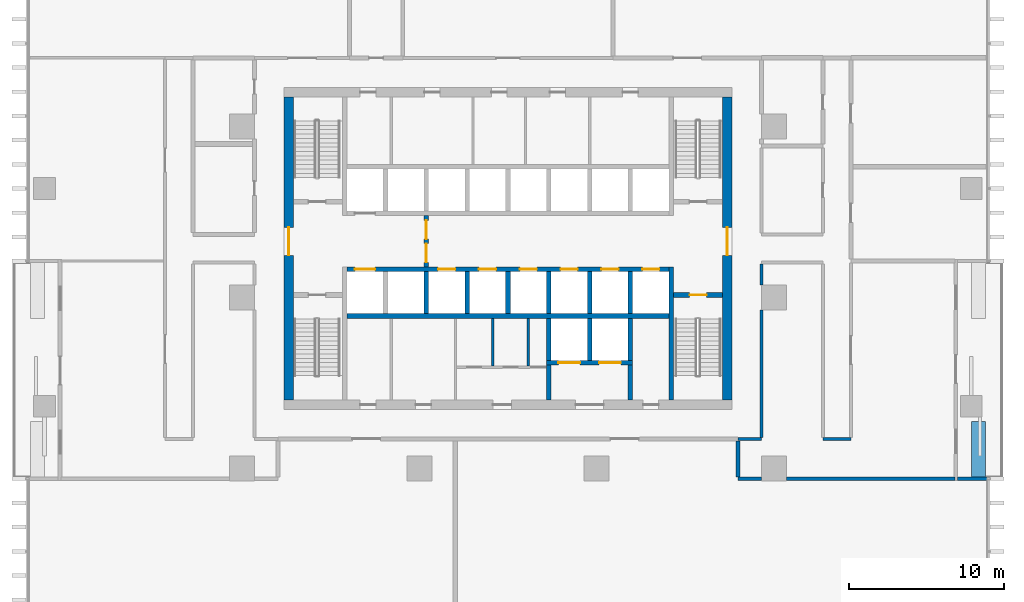
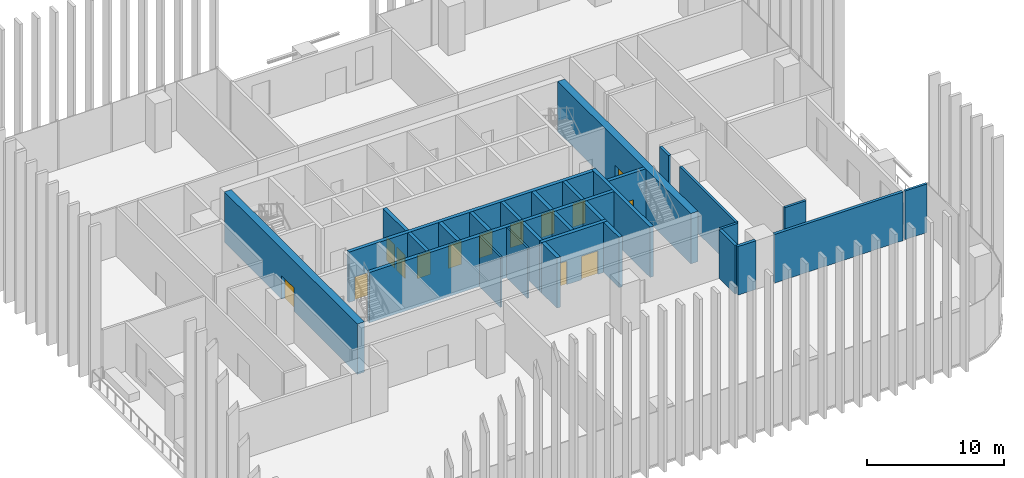
# One storey, part 8 of 17: 30 walls, 14 doors, 14 openings.
"""IFC4 building model written with IfcOpenShell, lengths in metres."""

from ifc_helpers import new_model, si_unit, direction, frame, frame_2d, origin, place, context, subcontext, project, spatial, rectangle, extrude, material, layer, layer_set, type_object, element, fill, save


model = new_model("IFC4")

# Units and contexts
model_context = context("Model", 3, precision=1e-05, world=origin(), true_north=direction((0.0, 1.0)))
body_context = subcontext(model_context, "Body", "Model", "MODEL_VIEW")
ifc_project = project(units=[si_unit("LENGTHUNIT", "METRE"), si_unit("AREAUNIT", "SQUARE_METRE"), si_unit("VOLUMEUNIT", "CUBIC_METRE"), si_unit("PLANEANGLEUNIT", "RADIAN"), si_unit("MASSUNIT", "GRAM", prefix="KILO")], contexts=[model_context])

# Site, building, storey
site_placement = place(None, origin())
site = spatial("IfcSite", under=ifc_project, at=site_placement, CompositionType="ELEMENT")
building_placement = place(site_placement, origin())
building = spatial("IfcBuilding", under=site, at=building_placement, Name="Mopane Tessera Tower", CompositionType="ELEMENT")
storey_placement = place(building_placement, frame((0.0, 0.0, 45.39990234375)))
storey = spatial("IfcBuildingStorey", under=building, at=storey_placement, Name="L08", CompositionType="ELEMENT", Elevation=45.39990234375)

# Walls
ifc_material_1 = material(Name="Fire-rated gypsum board partition")
ifc_layer_1 = layer(ifc_material_1, 0.14990234375)
ifc_layer_set_1 = layer_set([ifc_layer_1], Name="Fire-rated gypsum board partition")
wall_type_1 = type_object("IfcWallType", Name="Core room partition 150 mm", PredefinedType="PARTITIONING", material=ifc_layer_set_1)
for number, where, z_axis, x_axis, name in (
    (1, (-0.97509765625, -4.425048828125, 0.0), (0.0, 0.0, 1.0), (0.0, 1.0, 0.0), "L08 WC partition"),
    (2, (1.304931640625, -4.425048828125, 0.0), (0.0, 0.0, 1.0), (0.0, 1.0, 0.0), "L08 WC partition"),
):
    element("IfcWall", number, at=place(storey_placement, frame(where, z_axis=z_axis, x_axis=x_axis)), inside=storey, type_object=wall_type_1, Name=name, PredefinedType="PARTITIONING", context=body_context, shape_type="SweptSolid", body=[
        extrude(rectangle(XDim=3.074951171875, YDim=0.14990234375, at=frame_2d((1.53759765625, 0.0))), origin(), (0.0, 0.0, 1.0), 4.5),
    ])

# Wall, opening, door
ifc_material_2 = material(Name="Concrete C70/85", Category="concrete")
ifc_layer_2 = layer(ifc_material_2, 0.60009765625)
ifc_layer_set_2 = layer_set([ifc_layer_2], Name="Concrete C70/85")
wall_type_2 = type_object("IfcWallType", Name="Core shear wall 600 mm", PredefinedType="SHEAR", material=ifc_layer_set_2)
wall_1_placement = place(storey_placement, frame((-14.10009765625, -6.60009765625, 0.0), z_axis=(0.0, 0.0, 1.0), x_axis=(0.0, 1.0, 0.0)))
wall_1 = element("IfcWall", 3, at=wall_1_placement, inside=storey, type_object=wall_type_2, Name="L08 Core wall west", PredefinedType="SHEAR", context=body_context, shape_type="SweptSolid", body=[
    extrude(rectangle(XDim=19.5, YDim=0.60009765625, at=frame_2d((9.75, 0.0))), origin(), (0.0, 0.0, 1.0), 4.5),
])
opening_1_placement = place(wall_1_placement, frame((9.300048828125, 0.0, 0.0)))
opening_1 = element("IfcOpeningElement", 4, at=opening_1_placement, cuts=wall_1, Name="Opening SD2", PredefinedType="OPENING", context=body_context, shape_type="SweptSolid", body=[
    extrude(rectangle(XDim=1.800048828125, YDim=2.10009765625, at=frame_2d((0.89990234375, 1.050048828125))), frame((0.0, 0.31201171875, 0.0), z_axis=(0.0, -1.0, 0.0), x_axis=(1.0, 0.0, 0.0)), (0.0, 0.0, 1.0), 0.6240234375),
])
ifc_material_3 = material(Name="Steel fire door", Category="steel")
door_type_1 = type_object("IfcDoorType", Name="Core entrance double door 1800 x 2100", OperationType="DOUBLE_DOOR_SINGLE_SWING", PredefinedType="DOOR", material=ifc_material_3)
door_1_placement = place(opening_1_placement, origin())
door_1 = element("IfcDoor", 5, at=door_1_placement, inside=storey, type_object=door_type_1, Name="L08 Core entrance door west", OperationType="DOUBLE_DOOR_SINGLE_SWING", OverallHeight=2.10009765625, OverallWidth=1.800048828125, PredefinedType="DOOR", context=body_context, shape_type="SweptSolid", body=[
    extrude(rectangle(XDim=1.800048828125, YDim=2.10009765625, at=frame_2d((0.89990234375, 1.050048828125))), frame((0.0, 0.02490234375, 0.0), z_axis=(0.0, -1.0, 0.0), x_axis=(1.0, 0.0, 0.0)), (0.0, 0.0, 1.0), 0.050048828125),
])
fill(opening_1, door_1)

wall_2_placement = place(storey_placement, frame((14.10009765625, -6.60009765625, 0.0), z_axis=(0.0, 0.0, 1.0), x_axis=(0.0, 1.0, 0.0)))
wall_2 = element("IfcWall", 6, at=wall_2_placement, inside=storey, type_object=wall_type_2, Name="L08 Core wall east", PredefinedType="SHEAR", context=body_context, shape_type="SweptSolid", body=[
    extrude(rectangle(XDim=19.5, YDim=0.60009765625, at=frame_2d((9.75, 0.0))), origin(), (0.0, 0.0, 1.0), 4.5),
])
opening_2_placement = place(wall_2_placement, frame((9.300048828125, 0.0, 0.0)))
opening_2 = element("IfcOpeningElement", 7, at=opening_2_placement, cuts=wall_2, Name="Opening SD2", PredefinedType="OPENING", context=body_context, shape_type="SweptSolid", body=[
    extrude(rectangle(XDim=1.800048828125, YDim=2.10009765625, at=frame_2d((0.89990234375, 1.050048828125))), frame((0.0, 0.31201171875, 0.0), z_axis=(0.0, -1.0, 0.0), x_axis=(1.0, 0.0, 0.0)), (0.0, 0.0, 1.0), 0.6240234375),
])
door_2_placement = place(opening_2_placement, origin())
door_2 = element("IfcDoor", 8, at=door_2_placement, inside=storey, type_object=door_type_1, Name="L08 Core entrance door east", OperationType="DOUBLE_DOOR_SINGLE_SWING", OverallHeight=2.10009765625, OverallWidth=1.800048828125, PredefinedType="DOOR", context=body_context, shape_type="SweptSolid", body=[
    extrude(rectangle(XDim=1.800048828125, YDim=2.10009765625, at=frame_2d((0.89990234375, 1.050048828125))), frame((0.0, 0.02490234375, 0.0), z_axis=(0.0, -1.0, 0.0), x_axis=(1.0, 0.0, 0.0)), (0.0, 0.0, 1.0), 0.050048828125),
])
fill(opening_2, door_2)

# Walls
ifc_material_4 = material(Name="Concrete C60/75", Category="concrete")
ifc_layer_3 = layer(ifc_material_4, 0.300048828125)
ifc_layer_set_3 = layer_set([ifc_layer_3], Name="Concrete C60/75")
wall_type_3 = type_object("IfcWallType", Name="Core spine wall 300 mm", PredefinedType="SHEAR", material=ifc_layer_set_3)
wall_3_placement = place(storey_placement, frame((10.5, -6.60009765625, 0.0), z_axis=(0.0, 0.0, 1.0), x_axis=(0.0, 1.0, 0.0)))
element("IfcWall", 9, at=wall_3_placement, inside=storey, type_object=wall_type_3, Name="L08 Core spine wall", PredefinedType="SHEAR", context=body_context, shape_type="SweptSolid", body=[
    extrude(rectangle(XDim=8.550048828125, YDim=0.300048828125, at=frame_2d((4.27490234375, 0.0))), origin(), (0.0, 0.0, 1.0), 4.5),
])
ifc_material_5 = material(Name="Gypsum board on steel studs, two layers each face, mineral wool infill", Category="steel")
ifc_layer_4 = layer(ifc_material_5, 0.199951171875)
ifc_layer_set_4 = layer_set([ifc_layer_4], Name="Gypsum board on steel studs, two layers each face, mineral wool infill")
wall_type_4 = type_object("IfcWallType", Name="Gypsum board corridor wall 200, rated EI 60", PredefinedType="PARTITIONING", material=ifc_layer_set_4)
wall_4_placement = place(storey_placement, frame((14.800048828125, -9.10009765625, 0.0), z_axis=(0.0, 0.0, 1.0), x_axis=(1.0, 0.0, 0.0)))
element("IfcWall", 10, at=wall_4_placement, inside=storey, type_object=wall_type_4, Name="Partition L08:006", PredefinedType="PARTITIONING", context=body_context, shape_type="SweptSolid", body=[
    extrude(rectangle(XDim=1.5, YDim=0.199951171875, at=frame_2d((0.75, 0.0))), origin(), (0.0, 0.0, 1.0), 4.35009765625),
])
wall_5_placement = place(storey_placement, frame((20.25, -9.10009765625, 0.0), z_axis=(0.0, 0.0, 1.0), x_axis=(1.0, 0.0, 0.0)))
element("IfcWall", 11, at=wall_5_placement, inside=storey, type_object=wall_type_4, Name="Partition L08:007", PredefinedType="PARTITIONING", context=body_context, shape_type="SweptSolid", body=[
    extrude(rectangle(XDim=1.800048828125, YDim=0.199951171875, at=frame_2d((0.89990234375, 0.0))), origin(), (0.0, 0.0, 1.0), 4.35009765625),
])
wall_6_placement = place(storey_placement, frame((16.300048828125, -9.0, 0.0), z_axis=(0.0, 0.0, 1.0), x_axis=(0.0, 1.0, 0.0)))
element("IfcWall", 12, at=wall_6_placement, inside=storey, type_object=wall_type_4, Name="Partition L08:041", PredefinedType="PARTITIONING", context=body_context, shape_type="SweptSolid", body=[
    extrude(rectangle(XDim=8.199951171875, YDim=0.199951171875, at=frame_2d((4.10009765625, 0.0))), origin(), (0.0, 0.0, 1.0), 4.35009765625),
])
wall_7_placement = place(storey_placement, frame((16.300048828125, 0.800048828125, 0.0), z_axis=(0.0, 0.0, 1.0), x_axis=(0.0, 1.0, 0.0)))
element("IfcWall", 13, at=wall_7_placement, inside=storey, type_object=wall_type_4, Name="Partition L08:042", PredefinedType="PARTITIONING", context=body_context, shape_type="SweptSolid", body=[
    extrude(rectangle(XDim=1.349853515625, YDim=0.199951171875, at=frame_2d((0.6748046875, 0.0))), origin(), (0.0, 0.0, 1.0), 4.35009765625),
])

# Wall, opening, door
ifc_material_6 = material(Name="Concrete C50/60", Category="concrete")
ifc_layer_5 = layer(ifc_material_6, 0.300048828125)
ifc_layer_set_5 = layer_set([ifc_layer_5], Name="Concrete C50/60")
wall_type_5 = type_object("IfcWallType", Name="Lift and stair shaft wall 300 mm", PredefinedType="SOLIDWALL", material=ifc_layer_set_5)
wall_8_placement = place(storey_placement, frame((10.64990234375, 0.14990234375, 0.0), z_axis=(0.0, 0.0, 1.0), x_axis=(1.0, 0.0, 0.0)))
wall_8 = element("IfcWall", 14, at=wall_8_placement, inside=storey, type_object=wall_type_5, Name="L08 Stair enclosure wall", PredefinedType="SOLIDWALL", context=body_context, shape_type="SweptSolid", body=[
    extrude(rectangle(XDim=3.150146484375, YDim=0.300048828125, at=frame_2d((1.5751953125, 0.0))), origin(), (0.0, 0.0, 1.0), 4.5),
])
opening_3_placement = place(wall_8_placement, frame((1.02490234375, 0.0, 0.0)))
opening_3 = element("IfcOpeningElement", 15, at=opening_3_placement, cuts=wall_8, Name="Opening SD1", PredefinedType="OPENING", context=body_context, shape_type="SweptSolid", body=[
    extrude(rectangle(XDim=1.10009765625, YDim=2.10009765625, at=frame_2d((0.550048828125, 1.050048828125))), frame((0.0, 0.162109375, 0.0), z_axis=(0.0, -1.0, 0.0), x_axis=(1.0, 0.0, 0.0)), (0.0, 0.0, 1.0), 0.323974609375),
])
ifc_material_7 = material(Name="Steel fire door", Category="steel")
door_type_2 = type_object("IfcDoorType", Name="Stair fire door 1100 x 2100", OperationType="SINGLE_SWING_LEFT", PredefinedType="DOOR", material=ifc_material_7)
door_3_placement = place(opening_3_placement, origin())
door_3 = element("IfcDoor", 16, at=door_3_placement, inside=storey, type_object=door_type_2, Name="L08 Stair door ST3", OperationType="SINGLE_SWING_RIGHT", OverallHeight=2.10009765625, OverallWidth=1.10009765625, PredefinedType="DOOR", context=body_context, shape_type="SweptSolid", body=[
    extrude(rectangle(XDim=1.10009765625, YDim=2.10009765625, at=frame_2d((0.550048828125, 1.050048828125))), frame((0.0, 0.02490234375, 0.0), z_axis=(0.0, -1.0, 0.0), x_axis=(1.0, 0.0, 0.0)), (0.0, 0.0, 1.0), 0.050048828125),
])
fill(opening_3, door_3)

# Wall
wall_9_placement = place(storey_placement, frame((-10.35009765625, -1.199951171875, 0.0), z_axis=(0.0, 0.0, 1.0), x_axis=(1.0, 0.0, 0.0)))
element("IfcWall", 17, at=wall_9_placement, inside=storey, type_object=wall_type_5, Name="L08 Lift shaft rear wall", PredefinedType="SOLIDWALL", context=body_context, shape_type="SweptSolid", body=[
    extrude(rectangle(XDim=20.7001953125, YDim=0.300048828125, at=frame_2d((10.35009765625, 0.0))), origin(), (0.0, 0.0, 1.0), 4.5),
])

# Wall, openings, doors
wall_10_placement = place(storey_placement, frame((-10.35009765625, 1.800048828125, 0.0), z_axis=(0.0, 0.0, 1.0), x_axis=(1.0, 0.0, 0.0)))
wall_10 = element("IfcWall", 18, at=wall_10_placement, inside=storey, type_object=wall_type_5, Name="L08 Lift shaft front wall", PredefinedType="SOLIDWALL", context=body_context, shape_type="SweptSolid", body=[
    extrude(rectangle(XDim=20.7001953125, YDim=0.300048828125, at=frame_2d((10.35009765625, 0.0))), origin(), (0.0, 0.0, 1.0), 4.5),
])
opening_4_placement = place(wall_10_placement, frame((0.512451171875, 0.0, 0.0)))
opening_4 = element("IfcOpeningElement", 19, at=opening_4_placement, cuts=wall_10, Name="Opening LD2", PredefinedType="OPENING", context=body_context, shape_type="SweptSolid", body=[
    extrude(rectangle(XDim=1.300048828125, YDim=2.10009765625, at=frame_2d((0.64990234375, 1.050048828125))), frame((0.0, 0.162109375, 0.0), z_axis=(0.0, -1.0, 0.0), x_axis=(1.0, 0.0, 0.0)), (0.0, 0.0, 1.0), 0.323974609375),
])
opening_5_placement = place(wall_10_placement, frame((5.862548828125, 0.0, 0.0)))
opening_5 = element("IfcOpeningElement", 20, at=opening_5_placement, cuts=wall_10, Name="Opening LD", PredefinedType="OPENING", context=body_context, shape_type="SweptSolid", body=[
    extrude(rectangle(XDim=1.10009765625, YDim=2.10009765625, at=frame_2d((0.550048828125, 1.050048828125))), frame((0.0, 0.162109375, 0.0), z_axis=(0.0, -1.0, 0.0), x_axis=(1.0, 0.0, 0.0)), (0.0, 0.0, 1.0), 0.323974609375),
])
opening_6_placement = place(wall_10_placement, frame((8.487548828125, 0.0, 0.0)))
opening_6 = element("IfcOpeningElement", 21, at=opening_6_placement, cuts=wall_10, Name="Opening LD", PredefinedType="OPENING", context=body_context, shape_type="SweptSolid", body=[
    extrude(rectangle(XDim=1.10009765625, YDim=2.10009765625, at=frame_2d((0.550048828125, 1.050048828125))), frame((0.0, 0.162109375, 0.0), z_axis=(0.0, -1.0, 0.0), x_axis=(1.0, 0.0, 0.0)), (0.0, 0.0, 1.0), 0.323974609375),
])
opening_7_placement = place(wall_10_placement, frame((11.112548828125, 0.0, 0.0)))
opening_7 = element("IfcOpeningElement", 22, at=opening_7_placement, cuts=wall_10, Name="Opening LD", PredefinedType="OPENING", context=body_context, shape_type="SweptSolid", body=[
    extrude(rectangle(XDim=1.10009765625, YDim=2.10009765625, at=frame_2d((0.550048828125, 1.050048828125))), frame((0.0, 0.162109375, 0.0), z_axis=(0.0, -1.0, 0.0), x_axis=(1.0, 0.0, 0.0)), (0.0, 0.0, 1.0), 0.323974609375),
])
opening_8_placement = place(wall_10_placement, frame((13.737548828125, 0.0, 0.0)))
opening_8 = element("IfcOpeningElement", 23, at=opening_8_placement, cuts=wall_10, Name="Opening LD", PredefinedType="OPENING", context=body_context, shape_type="SweptSolid", body=[
    extrude(rectangle(XDim=1.10009765625, YDim=2.10009765625, at=frame_2d((0.550048828125, 1.050048828125))), frame((0.0, 0.162109375, 0.0), z_axis=(0.0, -1.0, 0.0), x_axis=(1.0, 0.0, 0.0)), (0.0, 0.0, 1.0), 0.323974609375),
])
opening_9_placement = place(wall_10_placement, frame((16.362548828125, 0.0, 0.0)))
opening_9 = element("IfcOpeningElement", 24, at=opening_9_placement, cuts=wall_10, Name="Opening LD", PredefinedType="OPENING", context=body_context, shape_type="SweptSolid", body=[
    extrude(rectangle(XDim=1.10009765625, YDim=2.10009765625, at=frame_2d((0.550048828125, 1.050048828125))), frame((0.0, 0.162109375, 0.0), z_axis=(0.0, -1.0, 0.0), x_axis=(1.0, 0.0, 0.0)), (0.0, 0.0, 1.0), 0.323974609375),
])
opening_10_placement = place(wall_10_placement, frame((18.987548828125, 0.0, 0.0)))
opening_10 = element("IfcOpeningElement", 25, at=opening_10_placement, cuts=wall_10, Name="Opening LD", PredefinedType="OPENING", context=body_context, shape_type="SweptSolid", body=[
    extrude(rectangle(XDim=1.10009765625, YDim=2.10009765625, at=frame_2d((0.550048828125, 1.050048828125))), frame((0.0, 0.162109375, 0.0), z_axis=(0.0, -1.0, 0.0), x_axis=(1.0, 0.0, 0.0)), (0.0, 0.0, 1.0), 0.323974609375),
])
ifc_material_8 = material(Name="Stainless steel sliding door", Category="steel")
door_type_3 = type_object("IfcDoorType", Name="Fire-fighting lift landing door 1300 x 2100", OperationType="DOUBLE_DOOR_SLIDING", PredefinedType="DOOR", material=ifc_material_8)
door_4_placement = place(opening_4_placement, origin())
door_4 = element("IfcDoor", 26, at=door_4_placement, inside=storey, type_object=door_type_3, Name="L08 Lift landing door FF1", OperationType="DOUBLE_DOOR_SLIDING", OverallHeight=2.10009765625, OverallWidth=1.300048828125, PredefinedType="DOOR", context=body_context, shape_type="SweptSolid", body=[
    extrude(rectangle(XDim=1.300048828125, YDim=2.10009765625, at=frame_2d((0.64990234375, 1.050048828125))), frame((0.0, 0.02490234375, 0.0), z_axis=(0.0, -1.0, 0.0), x_axis=(1.0, 0.0, 0.0)), (0.0, 0.0, 1.0), 0.050048828125),
])
fill(opening_4, door_4)
ifc_material_9 = material(Name="Stainless steel sliding door", Category="steel")
door_type_4 = type_object("IfcDoorType", Name="Lift landing door 1100 x 2100", OperationType="DOUBLE_DOOR_SLIDING", PredefinedType="DOOR", material=ifc_material_9)
door_5_placement = place(opening_5_placement, origin())
door_5 = element("IfcDoor", 27, at=door_5_placement, inside=storey, type_object=door_type_4, Name="L08 Lift landing door LR1", OperationType="DOUBLE_DOOR_SLIDING", OverallHeight=2.10009765625, OverallWidth=1.10009765625, PredefinedType="DOOR", context=body_context, shape_type="SweptSolid", body=[
    extrude(rectangle(XDim=1.10009765625, YDim=2.10009765625, at=frame_2d((0.550048828125, 1.050048828125))), frame((0.0, 0.02490234375, 0.0), z_axis=(0.0, -1.0, 0.0), x_axis=(1.0, 0.0, 0.0)), (0.0, 0.0, 1.0), 0.050048828125),
])
fill(opening_5, door_5)
door_6_placement = place(opening_6_placement, origin())
door_6 = element("IfcDoor", 28, at=door_6_placement, inside=storey, type_object=door_type_4, Name="L08 Lift landing door LR2", OperationType="DOUBLE_DOOR_SLIDING", OverallHeight=2.10009765625, OverallWidth=1.10009765625, PredefinedType="DOOR", context=body_context, shape_type="SweptSolid", body=[
    extrude(rectangle(XDim=1.10009765625, YDim=2.10009765625, at=frame_2d((0.550048828125, 1.050048828125))), frame((0.0, 0.02490234375, 0.0), z_axis=(0.0, -1.0, 0.0), x_axis=(1.0, 0.0, 0.0)), (0.0, 0.0, 1.0), 0.050048828125),
])
fill(opening_6, door_6)
door_7_placement = place(opening_7_placement, origin())
door_7 = element("IfcDoor", 29, at=door_7_placement, inside=storey, type_object=door_type_4, Name="L08 Lift landing door LR3", OperationType="DOUBLE_DOOR_SLIDING", OverallHeight=2.10009765625, OverallWidth=1.10009765625, PredefinedType="DOOR", context=body_context, shape_type="SweptSolid", body=[
    extrude(rectangle(XDim=1.10009765625, YDim=2.10009765625, at=frame_2d((0.550048828125, 1.050048828125))), frame((0.0, 0.02490234375, 0.0), z_axis=(0.0, -1.0, 0.0), x_axis=(1.0, 0.0, 0.0)), (0.0, 0.0, 1.0), 0.050048828125),
])
fill(opening_7, door_7)
door_8_placement = place(opening_8_placement, origin())
door_8 = element("IfcDoor", 30, at=door_8_placement, inside=storey, type_object=door_type_4, Name="L08 Lift landing door LR4", OperationType="DOUBLE_DOOR_SLIDING", OverallHeight=2.10009765625, OverallWidth=1.10009765625, PredefinedType="DOOR", context=body_context, shape_type="SweptSolid", body=[
    extrude(rectangle(XDim=1.10009765625, YDim=2.10009765625, at=frame_2d((0.550048828125, 1.050048828125))), frame((0.0, 0.02490234375, 0.0), z_axis=(0.0, -1.0, 0.0), x_axis=(1.0, 0.0, 0.0)), (0.0, 0.0, 1.0), 0.050048828125),
])
fill(opening_8, door_8)
door_9_placement = place(opening_9_placement, origin())
door_9 = element("IfcDoor", 31, at=door_9_placement, inside=storey, type_object=door_type_4, Name="L08 Lift landing door LR5", OperationType="DOUBLE_DOOR_SLIDING", OverallHeight=2.10009765625, OverallWidth=1.10009765625, PredefinedType="DOOR", context=body_context, shape_type="SweptSolid", body=[
    extrude(rectangle(XDim=1.10009765625, YDim=2.10009765625, at=frame_2d((0.550048828125, 1.050048828125))), frame((0.0, 0.02490234375, 0.0), z_axis=(0.0, -1.0, 0.0), x_axis=(1.0, 0.0, 0.0)), (0.0, 0.0, 1.0), 0.050048828125),
])
fill(opening_9, door_9)
door_10_placement = place(opening_10_placement, origin())
door_10 = element("IfcDoor", 32, at=door_10_placement, inside=storey, type_object=door_type_4, Name="L08 Lift landing door LR6", OperationType="DOUBLE_DOOR_SLIDING", OverallHeight=2.10009765625, OverallWidth=1.10009765625, PredefinedType="DOOR", context=body_context, shape_type="SweptSolid", body=[
    extrude(rectangle(XDim=1.10009765625, YDim=2.10009765625, at=frame_2d((0.550048828125, 1.050048828125))), frame((0.0, 0.02490234375, 0.0), z_axis=(0.0, -1.0, 0.0), x_axis=(1.0, 0.0, 0.0)), (0.0, 0.0, 1.0), 0.050048828125),
])
fill(opening_10, door_10)

# Walls
for number, where, z_axis, x_axis, name in (
    (33, (-5.25, -1.050048828125, 0.0), (0.0, 0.0, 1.0), (0.0, 1.0, 0.0), "L08 Lift shaft wall"),
    (34, (-2.625, -1.050048828125, 0.0), (0.0, 0.0, 1.0), (0.0, 1.0, 0.0), "L08 Lift shaft wall"),
    (35, (0.0, -1.050048828125, 0.0), (0.0, 0.0, 1.0), (0.0, 1.0, 0.0), "L08 Lift shaft wall"),
    (36, (2.625, -1.050048828125, 0.0), (0.0, 0.0, 1.0), (0.0, 1.0, 0.0), "L08 Lift shaft wall"),
    (37, (5.25, -1.050048828125, 0.0), (0.0, 0.0, 1.0), (0.0, 1.0, 0.0), "L08 Lift shaft wall"),
    (38, (7.875, -1.050048828125, 0.0), (0.0, 0.0, 1.0), (0.0, 1.0, 0.0), "L08 Lift shaft wall"),
):
    element("IfcWall", number, at=place(storey_placement, frame(where, z_axis=z_axis, x_axis=x_axis)), inside=storey, type_object=wall_type_5, Name=name, PredefinedType="SOLIDWALL", context=body_context, shape_type="SweptSolid", body=[
        extrude(rectangle(XDim=2.699951171875, YDim=0.300048828125, at=frame_2d((1.35009765625, 0.0))), origin(), (0.0, 0.0, 1.0), 4.5),
    ])

# Wall, openings, doors
wall_11_placement = place(storey_placement, frame((2.47509765625, -4.199951171875, 0.0), z_axis=(0.0, 0.0, 1.0), x_axis=(1.0, 0.0, 0.0)))
wall_11 = element("IfcWall", 39, at=wall_11_placement, inside=storey, type_object=wall_type_5, Name="L08 Lift shaft front wall", PredefinedType="SOLIDWALL", context=body_context, shape_type="SweptSolid", body=[
    extrude(rectangle(XDim=5.5498046875, YDim=0.300048828125, at=frame_2d((2.77490234375, 0.0))), origin(), (0.0, 0.0, 1.0), 4.5),
])
opening_11_placement = place(wall_11_placement, frame((0.762451171875, 0.0, 0.0)))
opening_11 = element("IfcOpeningElement", 40, at=opening_11_placement, cuts=wall_11, Name="Opening LD3", PredefinedType="OPENING", context=body_context, shape_type="SweptSolid", body=[
    extrude(rectangle(XDim=1.39990234375, YDim=2.10009765625, at=frame_2d((0.699951171875, 1.050048828125))), frame((0.0, 0.162109375, 0.0), z_axis=(0.0, -1.0, 0.0), x_axis=(1.0, 0.0, 0.0)), (0.0, 0.0, 1.0), 0.323974609375),
])
opening_12_placement = place(wall_11_placement, frame((3.387451171875, 0.0, 0.0)))
opening_12 = element("IfcOpeningElement", 41, at=opening_12_placement, cuts=wall_11, Name="Opening LD3", PredefinedType="OPENING", context=body_context, shape_type="SweptSolid", body=[
    extrude(rectangle(XDim=1.39990234375, YDim=2.10009765625, at=frame_2d((0.699951171875, 1.050048828125))), frame((0.0, 0.162109375, 0.0), z_axis=(0.0, -1.0, 0.0), x_axis=(1.0, 0.0, 0.0)), (0.0, 0.0, 1.0), 0.323974609375),
])
ifc_material_10 = material(Name="Stainless steel sliding door", Category="steel")
door_type_5 = type_object("IfcDoorType", Name="Service lift landing door 1400 x 2100", OperationType="DOUBLE_DOOR_SLIDING", PredefinedType="DOOR", material=ifc_material_10)
door_11_placement = place(opening_11_placement, origin())
door_11 = element("IfcDoor", 42, at=door_11_placement, inside=storey, type_object=door_type_5, Name="L08 Lift landing door SV1", OperationType="DOUBLE_DOOR_SLIDING", OverallHeight=2.10009765625, OverallWidth=1.39990234375, PredefinedType="DOOR", context=body_context, shape_type="SweptSolid", body=[
    extrude(rectangle(XDim=1.39990234375, YDim=2.10009765625, at=frame_2d((0.699951171875, 1.050048828125))), frame((0.0, 0.02490234375, 0.0), z_axis=(0.0, -1.0, 0.0), x_axis=(1.0, 0.0, 0.0)), (0.0, 0.0, 1.0), 0.050048828125),
])
fill(opening_11, door_11)
door_12_placement = place(opening_12_placement, origin())
door_12 = element("IfcDoor", 43, at=door_12_placement, inside=storey, type_object=door_type_5, Name="L08 Lift landing door SV2", OperationType="DOUBLE_DOOR_SLIDING", OverallHeight=2.10009765625, OverallWidth=1.39990234375, PredefinedType="DOOR", context=body_context, shape_type="SweptSolid", body=[
    extrude(rectangle(XDim=1.39990234375, YDim=2.10009765625, at=frame_2d((0.699951171875, 1.050048828125))), frame((0.0, 0.02490234375, 0.0), z_axis=(0.0, -1.0, 0.0), x_axis=(1.0, 0.0, 0.0)), (0.0, 0.0, 1.0), 0.050048828125),
])
fill(opening_12, door_12)

# Walls
for number, where, z_axis, x_axis, name in (
    (44, (2.625, -4.050048828125, 0.0), (0.0, 0.0, 1.0), (0.0, 1.0, 0.0), "L08 Lift shaft wall"),
    (45, (5.25, -4.050048828125, 0.0), (0.0, 0.0, 1.0), (0.0, 1.0, 0.0), "L08 Lift shaft wall"),
    (46, (7.875, -4.050048828125, 0.0), (0.0, 0.0, 1.0), (0.0, 1.0, 0.0), "L08 Lift shaft wall"),
):
    element("IfcWall", number, at=place(storey_placement, frame(where, z_axis=z_axis, x_axis=x_axis)), inside=storey, type_object=wall_type_5, Name=name, PredefinedType="SOLIDWALL", context=body_context, shape_type="SweptSolid", body=[
        extrude(rectangle(XDim=2.699951171875, YDim=0.300048828125, at=frame_2d((1.35009765625, 0.0))), origin(), (0.0, 0.0, 1.0), 4.5),
    ])

# Wall, openings, doors
ifc_material_11 = material(Name="Concrete C50/60", Category="concrete")
ifc_layer_6 = layer(ifc_material_11, 0.300048828125)
ifc_layer_set_6 = layer_set([ifc_layer_6], Name="Concrete C50/60")
wall_type_6 = type_object("IfcWallType", Name="Lobby and refuge room wall 300 mm", PredefinedType="SOLIDWALL", material=ifc_layer_set_6)
wall_12_placement = place(storey_placement, frame((-5.25, 1.949951171875, 0.0), z_axis=(0.0, 0.0, 1.0), x_axis=(0.0, 1.0, 0.0)))
wall_12 = element("IfcWall", 47, at=wall_12_placement, inside=storey, type_object=wall_type_6, Name="L08 Fire-fighting lobby wall", PredefinedType="SOLIDWALL", context=body_context, shape_type="SweptSolid", body=[
    extrude(rectangle(XDim=3.300048828125, YDim=0.300048828125, at=frame_2d((1.64990234375, 0.0))), origin(), (0.0, 0.0, 1.0), 4.5),
])
opening_13_placement = place(wall_12_placement, frame((0.300048828125, 0.0, 0.0)))
opening_13 = element("IfcOpeningElement", 48, at=opening_13_placement, cuts=wall_12, Name="Opening SD3", PredefinedType="OPENING", context=body_context, shape_type="SweptSolid", body=[
    extrude(rectangle(XDim=1.199951171875, YDim=2.10009765625, at=frame_2d((0.60009765625, 1.050048828125))), frame((0.0, 0.162109375, 0.0), z_axis=(0.0, -1.0, 0.0), x_axis=(1.0, 0.0, 0.0)), (0.0, 0.0, 1.0), 0.323974609375),
])
opening_14_placement = place(wall_12_placement, frame((1.800048828125, 0.0, 0.0)))
opening_14 = element("IfcOpeningElement", 49, at=opening_14_placement, cuts=wall_12, Name="Opening SD3", PredefinedType="OPENING", context=body_context, shape_type="SweptSolid", body=[
    extrude(rectangle(XDim=1.199951171875, YDim=2.10009765625, at=frame_2d((0.60009765625, 1.050048828125))), frame((0.0, 0.162109375, 0.0), z_axis=(0.0, -1.0, 0.0), x_axis=(1.0, 0.0, 0.0)), (0.0, 0.0, 1.0), 0.323974609375),
])
ifc_material_12 = material(Name="Steel fire door", Category="steel")
door_type_6 = type_object("IfcDoorType", Name="Lobby fire door 1200 x 2100", OperationType="SINGLE_SWING_LEFT", PredefinedType="DOOR", material=ifc_material_12)
door_13_placement = place(opening_13_placement, origin())
door_13 = element("IfcDoor", 50, at=door_13_placement, inside=storey, type_object=door_type_6, Name="L08 Fire-fighting lobby door", OperationType="SINGLE_SWING_LEFT", OverallHeight=2.10009765625, OverallWidth=1.199951171875, PredefinedType="DOOR", context=body_context, shape_type="SweptSolid", body=[
    extrude(rectangle(XDim=1.199951171875, YDim=2.10009765625, at=frame_2d((0.60009765625, 1.050048828125))), frame((0.0, 0.02490234375, 0.0), z_axis=(0.0, -1.0, 0.0), x_axis=(1.0, 0.0, 0.0)), (0.0, 0.0, 1.0), 0.050048828125),
])
fill(opening_13, door_13)
door_14_placement = place(opening_14_placement, origin())
door_14 = element("IfcDoor", 51, at=door_14_placement, inside=storey, type_object=door_type_6, Name="L08 Fire-fighting lobby door", OperationType="SINGLE_SWING_RIGHT", OverallHeight=2.10009765625, OverallWidth=1.199951171875, PredefinedType="DOOR", context=body_context, shape_type="SweptSolid", body=[
    extrude(rectangle(XDim=1.199951171875, YDim=2.10009765625, at=frame_2d((0.60009765625, 1.050048828125))), frame((0.0, 0.02490234375, 0.0), z_axis=(0.0, -1.0, 0.0), x_axis=(1.0, 0.0, 0.0)), (0.0, 0.0, 1.0), 0.050048828125),
])
fill(opening_14, door_14)

# Walls
for number, where, z_axis, x_axis, name in (
    (52, (2.625, -6.60009765625, 0.0), (0.0, 0.0, 1.0), (0.0, 1.0, 0.0), "L08 Service lobby wall"),
    (53, (7.875, -6.60009765625, 0.0), (0.0, 0.0, 1.0), (0.0, 1.0, 0.0), "L08 Service lobby wall"),
):
    element("IfcWall", number, at=place(storey_placement, frame(where, z_axis=z_axis, x_axis=x_axis)), inside=storey, type_object=wall_type_6, Name=name, PredefinedType="SOLIDWALL", context=body_context, shape_type="SweptSolid", body=[
        extrude(rectangle(XDim=2.25, YDim=0.300048828125, at=frame_2d((1.125, 0.0))), origin(), (0.0, 0.0, 1.0), 4.5),
    ])
ifc_material_13 = material(Name="Reinforced concrete C32/40 with waterproofing", Category="concrete")
ifc_layer_7 = layer(ifc_material_13, 0.89990234375)
ifc_layer_set_7 = layer_set([ifc_layer_7], Name="Reinforced concrete C32/40 with waterproofing")
wall_type_7 = type_object("IfcWallType", Name="Planter trough 3600 x 900", PredefinedType="STANDARD", material=ifc_layer_set_7)
wall_13_placement = place(storey_placement, frame((30.25, -11.566650390625, 0.0), z_axis=(0.0, 0.0, 1.0), x_axis=(0.0, 1.0, 0.0)))
element("IfcWall", 54, at=wall_13_placement, inside=storey, type_object=wall_type_7, Name="e:nw:L08:N1:pl0", PredefinedType="STANDARD", context=body_context, shape_type="SweptSolid", body=[
    extrude(rectangle(XDim=3.60009765625, YDim=0.89990234375, at=frame_2d((1.800048828125, 0.0))), origin(), (0.0, 0.0, 1.0), 0.7001953125),
])
ifc_material_14 = material(Name="Plastered concrete blockwork C20/25", Category="masonry")
ifc_layer_8 = layer(ifc_material_14, 0.25)
ifc_layer_set_8 = layer_set([ifc_layer_8], Name="Plastered concrete blockwork C20/25")
wall_type_8 = type_object("IfcWallType", Name="Plastered blockwork wall 250, rated EI 120", PredefinedType="PARTITIONING", material=ifc_layer_set_8)
wall_14_placement = place(storey_placement, frame((14.800048828125, -11.6650390625, 0.0), z_axis=(0.0, 0.0, 1.0), x_axis=(1.0, 0.0, 0.0)))
element("IfcWall", 55, at=wall_14_placement, inside=storey, type_object=wall_type_8, Name="Partition L08:002", PredefinedType="PARTITIONING", context=body_context, shape_type="SweptSolid", body=[
    extrude(rectangle(XDim=1.5, YDim=0.25, at=frame_2d((0.75, 0.0))), origin(), (0.0, 0.0, 1.0), 4.35009765625),
])
wall_15_placement = place(storey_placement, frame((17.89990234375, -11.6650390625, 0.0), z_axis=(0.0, 0.0, 1.0), x_axis=(1.0, 0.0, 0.0)))
element("IfcWall", 56, at=wall_15_placement, inside=storey, type_object=wall_type_8, Name="Partition L08:003", PredefinedType="PARTITIONING", context=body_context, shape_type="SweptSolid", body=[
    extrude(rectangle(XDim=10.85009765625, YDim=0.25, at=frame_2d((5.425048828125, 0.0))), origin(), (0.0, 0.0, 1.0), 4.35009765625),
])
wall_16_placement = place(storey_placement, frame((14.800048828125, -11.5400390625, 0.0), z_axis=(0.0, 0.0, 1.0), x_axis=(0.0, 1.0, 0.0)))
element("IfcWall", 57, at=wall_16_placement, inside=storey, type_object=wall_type_8, Name="Partition L08:040", PredefinedType="PARTITIONING", context=body_context, shape_type="SweptSolid", body=[
    extrude(rectangle(XDim=2.31494140625, YDim=0.25, at=frame_2d((1.157470703125, 0.0))), origin(), (0.0, 0.0, 1.0), 4.35009765625),
])
ifc_material_15 = material(Name="Blockwork with glazed tile facing", Category="masonry")
ifc_layer_9 = layer(ifc_material_15, 0.199951171875)
ifc_layer_set_9 = layer_set([ifc_layer_9], Name="Blockwork with glazed tile facing")
wall_type_9 = type_object("IfcWallType", Name="Terrace cheek wall 200", PredefinedType="STANDARD", material=ifc_layer_set_9)
wall_17_placement = place(storey_placement, frame((30.800048828125, -11.666748046875, 0.0), z_axis=(0.0, 0.0, 1.0), x_axis=(-1.0, 0.0, 0.0)))
element("IfcWall", 58, at=wall_17_placement, inside=storey, type_object=wall_type_9, Name="e:nw:L08:N1:cheeka", PredefinedType="STANDARD", context=body_context, shape_type="SweptSolid", body=[
    extrude(rectangle(XDim=1.875, YDim=0.199951171875, at=frame_2d((0.9375, 0.0))), origin(), (0.0, 0.0, 1.0), 4.35009765625),
])

save(model, "model.ifc")
